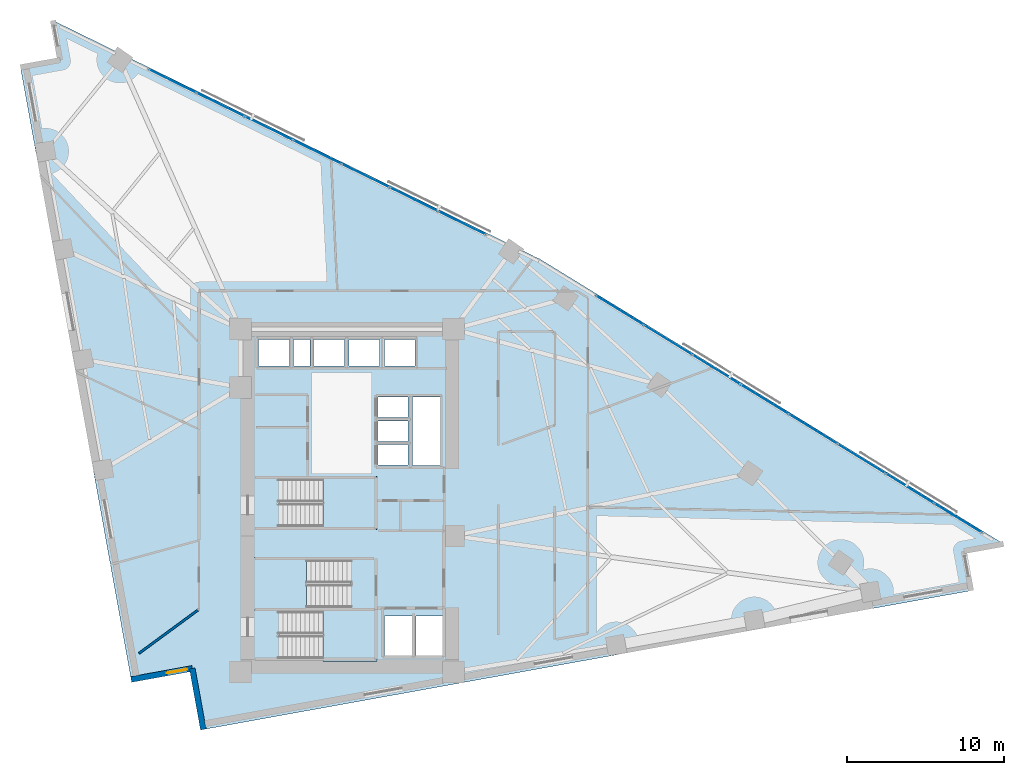
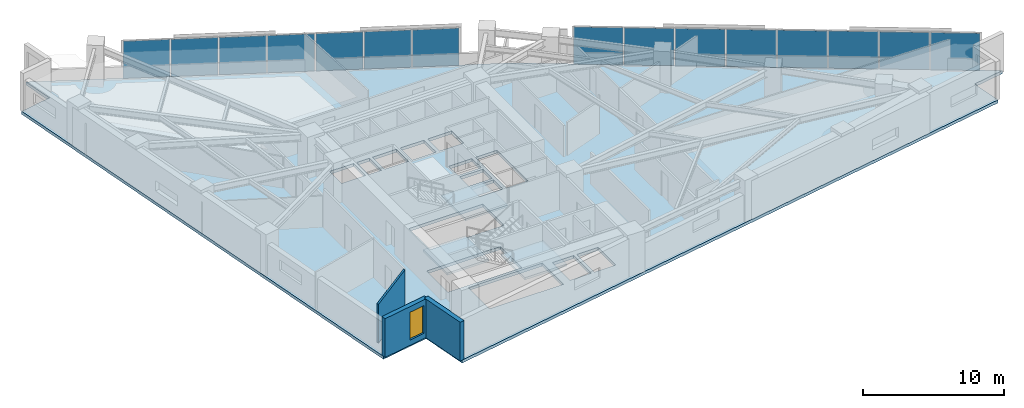
# One storey, part 12 of 18: 15 plates, 4 slabs, 3 walls, 1 window, 1 opening, 5 elements without a shape of their own.
"""IFC4 building model written with IfcOpenShell, lengths in metres."""

from ifc_helpers import new_model, si_unit, direction, frame, frame_2d, origin, origin_2d, place, context, subcontext, project, spatial, polyline, rectangle, outline, extrude, material, layer, layer_set, type_object, element, fill, aggregate, save


model = new_model("IFC4")

# Units and contexts
model_context = context("Model", 3, precision=1e-05, world=origin(), true_north=direction((0.0, 1.0)))
body_context = subcontext(model_context, "Body", "Model", "MODEL_VIEW")
ifc_project = project(units=[si_unit("LENGTHUNIT", "METRE"), si_unit("AREAUNIT", "SQUARE_METRE"), si_unit("VOLUMEUNIT", "CUBIC_METRE"), si_unit("PLANEANGLEUNIT", "RADIAN"), si_unit("MASSUNIT", "GRAM", prefix="KILO")], contexts=[model_context])

# Site, building, storey
site_placement = place(None, origin())
site = spatial("IfcSite", under=ifc_project, at=site_placement, CompositionType="ELEMENT")
building_placement = place(site_placement, origin())
building = spatial("IfcBuilding", under=site, at=building_placement, Name="Narakoshi Arena Tower", CompositionType="ELEMENT")
storey_placement = place(building_placement, frame((0.0, 0.0, 106.5)))
storey = spatial("IfcBuildingStorey", under=building, at=storey_placement, Name="L28", CompositionType="ELEMENT", Elevation=106.5)

# Curtain wall, plates
ifc_material_1 = material(Name="Anodised bronze aluminium 6063-T6", Category="aluminium")
curtain_wall_type = type_object("IfcCurtainWallType", Name="CW-HYP-LOW", PredefinedType="NOTDEFINED", material=ifc_material_1)
curtain_wall_1_placement = place(storey_placement, origin())
curtain_wall_1 = element("IfcCurtainWall", 1, at=curtain_wall_1_placement, inside=storey, type_object=curtain_wall_type, Name="L28 Folded Hypotenuse Curtain Wall 1-1", PredefinedType="NOTDEFINED")
ifc_material_2 = material(Name="Bronze-tinted low-E laminated glass", Category="glass")
ifc_layer_1 = layer(ifc_material_2, 0.031982421875)
ifc_layer_set_1 = layer_set([ifc_layer_1], Name="Bronze-tinted low-E laminated glass")
plate_type = type_object("IfcPlateType", Name="PLT-GLZ-32", PredefinedType="CURTAIN_PANEL", material=ifc_layer_set_1)
plate_1_placement = place(storey_placement, frame((117.64013671875, 44.483642578125, 0.06494140625), z_axis=(0.0, 0.0, 1.0), x_axis=(-0.852113104237, 0.523357676535, 0.0)))
plate_1 = element("IfcPlate", 2, at=plate_1_placement, type_object=plate_type, Name="CW-01 panel 1.1", PredefinedType="CURTAIN_PANEL", context=body_context, shape_type="SweptSolid", body=[
    extrude(rectangle(XDim=3.498291015625, YDim=0.031982421875, at=origin_2d()), origin(), (0.0, 0.0, 1.0), 3.2099609375),
])
plate_2_placement = place(storey_placement, frame((114.5791015625, 46.36376953125, 0.06494140625), z_axis=(0.0, 0.0, 1.0), x_axis=(-0.852113104237, 0.523357676535, 0.0)))
plate_2 = element("IfcPlate", 3, at=plate_2_placement, type_object=plate_type, Name="CW-01 panel 2.1", PredefinedType="CURTAIN_PANEL", context=body_context, shape_type="SweptSolid", body=[
    extrude(rectangle(XDim=3.535888671875, YDim=0.031982421875, at=origin_2d()), origin(), (0.0, 0.0, 1.0), 3.2099609375),
])
plate_3_placement = place(storey_placement, frame((111.502197265625, 48.25341796875, 0.06494140625), z_axis=(0.0, 0.0, 1.0), x_axis=(-0.852113104237, 0.523357676535, 0.0)))
plate_3 = element("IfcPlate", 4, at=plate_3_placement, type_object=plate_type, Name="CW-01 panel 3.1", PredefinedType="CURTAIN_PANEL", context=body_context, shape_type="SweptSolid", body=[
    extrude(rectangle(XDim=3.535888671875, YDim=0.031982421875, at=origin_2d()), origin(), (0.0, 0.0, 1.0), 3.2099609375),
])
plate_4_placement = place(storey_placement, frame((108.42529296875, 50.143310546875, 0.06494140625), z_axis=(0.0, 0.0, 1.0), x_axis=(-0.852113104237, 0.523357676535, 0.0)))
plate_4 = element("IfcPlate", 5, at=plate_4_placement, type_object=plate_type, Name="CW-01 panel 4.1", PredefinedType="CURTAIN_PANEL", context=body_context, shape_type="SweptSolid", body=[
    extrude(rectangle(XDim=3.535888671875, YDim=0.031982421875, at=origin_2d()), origin(), (0.0, 0.0, 1.0), 3.2099609375),
])
plate_5_placement = place(storey_placement, frame((105.348388671875, 52.032958984375, 0.06494140625), z_axis=(0.0, 0.0, 1.0), x_axis=(-0.852113104237, 0.523357676535, 0.0)))
plate_5 = element("IfcPlate", 6, at=plate_5_placement, type_object=plate_type, Name="CW-01 panel 5.1", PredefinedType="CURTAIN_PANEL", context=body_context, shape_type="SweptSolid", body=[
    extrude(rectangle(XDim=3.535888671875, YDim=0.031982421875, at=origin_2d()), origin(), (0.0, 0.0, 1.0), 3.2099609375),
])
plate_6_placement = place(storey_placement, frame((102.271728515625, 53.9228515625, 0.06494140625), z_axis=(0.0, 0.0, 1.0), x_axis=(-0.852113104237, 0.523357676535, 0.0)))
plate_6 = element("IfcPlate", 7, at=plate_6_placement, type_object=plate_type, Name="CW-01 panel 6.1", PredefinedType="CURTAIN_PANEL", context=body_context, shape_type="SweptSolid", body=[
    extrude(rectangle(XDim=3.535888671875, YDim=0.031982421875, at=origin_2d()), origin(), (0.0, 0.0, 1.0), 3.2099609375),
])
plate_7_placement = place(storey_placement, frame((99.19482421875, 55.8125, 0.06494140625), z_axis=(0.0, 0.0, 1.0), x_axis=(-0.852113104237, 0.523357676535, 0.0)))
plate_7 = element("IfcPlate", 8, at=plate_7_placement, type_object=plate_type, Name="CW-01 panel 7.1", PredefinedType="CURTAIN_PANEL", context=body_context, shape_type="SweptSolid", body=[
    extrude(rectangle(XDim=3.535888671875, YDim=0.031982421875, at=origin_2d()), origin(), (0.0, 0.0, 1.0), 3.2099609375),
])
plate_8_placement = place(storey_placement, frame((96.1337890625, 57.692626953125, 0.06494140625), z_axis=(0.0, 0.0, 1.0), x_axis=(-0.852113104237, 0.523357676535, 0.0)))
plate_8 = element("IfcPlate", 9, at=plate_8_placement, type_object=plate_type, Name="CW-01 panel 8.1", PredefinedType="CURTAIN_PANEL", context=body_context, shape_type="SweptSolid", body=[
    extrude(rectangle(XDim=3.498291015625, YDim=0.031982421875, at=origin_2d()), origin(), (0.0, 0.0, 1.0), 3.2099609375),
])
aggregate(curtain_wall_1, [plate_1, plate_2, plate_3, plate_4, plate_5, plate_6, plate_7, plate_8])

curtain_wall_2_placement = place(storey_placement, origin())
curtain_wall_2 = element("IfcCurtainWall", 10, at=curtain_wall_2_placement, inside=storey, type_object=curtain_wall_type, Name="L28 Folded Hypotenuse Curtain Wall 2-1", PredefinedType="NOTDEFINED")
plate_9_placement = place(storey_placement, frame((86.0791015625, 63.259765625, 0.06494140625), z_axis=(0.0, 0.0, 1.0), x_axis=(-0.89799556291, 0.440004510198, 0.0)))
plate_9 = element("IfcPlate", 11, at=plate_9_placement, type_object=plate_type, Name="CW-01 panel 1.1", PredefinedType="CURTAIN_PANEL", context=body_context, shape_type="SweptSolid", body=[
    extrude(rectangle(XDim=3.309814453125, YDim=0.031982421875, at=origin_2d()), origin(), (0.0, 0.0, 1.0), 3.2099609375),
])
plate_10_placement = place(storey_placement, frame((83.022705078125, 64.75732421875, 0.06494140625), z_axis=(0.0, 0.0, 1.0), x_axis=(-0.89799556291, 0.440004510198, 0.0)))
plate_10 = element("IfcPlate", 12, at=plate_10_placement, type_object=plate_type, Name="CW-01 panel 2.1", PredefinedType="CURTAIN_PANEL", context=body_context, shape_type="SweptSolid", body=[
    extrude(rectangle(XDim=3.347412109375, YDim=0.031982421875, at=origin_2d()), origin(), (0.0, 0.0, 1.0), 3.2099609375),
])
plate_11_placement = place(storey_placement, frame((79.949462890625, 66.26318359375, 0.06494140625), z_axis=(0.0, 0.0, 1.0), x_axis=(-0.89799556291, 0.440004510198, 0.0)))
plate_11 = element("IfcPlate", 13, at=plate_11_placement, type_object=plate_type, Name="CW-01 panel 3.1", PredefinedType="CURTAIN_PANEL", context=body_context, shape_type="SweptSolid", body=[
    extrude(rectangle(XDim=3.347412109375, YDim=0.031982421875, at=origin_2d()), origin(), (0.0, 0.0, 1.0), 3.2099609375),
])
plate_12_placement = place(storey_placement, frame((76.8759765625, 67.76904296875, 0.06494140625), z_axis=(0.0, 0.0, 1.0), x_axis=(-0.89799556291, 0.440004510198, 0.0)))
plate_12 = element("IfcPlate", 14, at=plate_12_placement, type_object=plate_type, Name="CW-01 panel 4.1", PredefinedType="CURTAIN_PANEL", context=body_context, shape_type="SweptSolid", body=[
    extrude(rectangle(XDim=3.347412109375, YDim=0.031982421875, at=origin_2d()), origin(), (0.0, 0.0, 1.0), 3.2099609375),
])
plate_13_placement = place(storey_placement, frame((73.802734375, 69.27490234375, 0.06494140625), z_axis=(0.0, 0.0, 1.0), x_axis=(-0.89799556291, 0.440004510198, 0.0)))
plate_13 = element("IfcPlate", 15, at=plate_13_placement, type_object=plate_type, Name="CW-01 panel 5.1", PredefinedType="CURTAIN_PANEL", context=body_context, shape_type="SweptSolid", body=[
    extrude(rectangle(XDim=3.347412109375, YDim=0.031982421875, at=origin_2d()), origin(), (0.0, 0.0, 1.0), 3.2099609375),
])
plate_14_placement = place(storey_placement, frame((70.7294921875, 70.781005859375, 0.06494140625), z_axis=(0.0, 0.0, 1.0), x_axis=(-0.89799556291, 0.440004510198, 0.0)))
plate_14 = element("IfcPlate", 16, at=plate_14_placement, type_object=plate_type, Name="CW-01 panel 6.1", PredefinedType="CURTAIN_PANEL", context=body_context, shape_type="SweptSolid", body=[
    extrude(rectangle(XDim=3.347412109375, YDim=0.031982421875, at=origin_2d()), origin(), (0.0, 0.0, 1.0), 3.2099609375),
])
plate_15_placement = place(storey_placement, frame((67.673095703125, 72.278564453125, 0.06494140625), z_axis=(0.0, 0.0, 1.0), x_axis=(-0.89799556291, 0.440004510198, 0.0)))
plate_15 = element("IfcPlate", 17, at=plate_15_placement, type_object=plate_type, Name="CW-01 panel 7.1", PredefinedType="CURTAIN_PANEL", context=body_context, shape_type="SweptSolid", body=[
    extrude(rectangle(XDim=3.309814453125, YDim=0.031982421875, at=origin_2d()), origin(), (0.0, 0.0, 1.0), 3.2099609375),
])
aggregate(curtain_wall_2, [plate_9, plate_10, plate_11, plate_12, plate_13, plate_14, plate_15])

# Stair, slab
ifc_material_3 = material(Name="Concrete C45/55", Category="concrete")
stair_type = type_object("IfcStairType", Name="STR-CORE-360", PredefinedType="TWO_STRAIGHT_RUN_STAIR", material=ifc_material_3)
stair_1_placement = place(storey_placement, origin())
stair_1 = element("IfcStair", 18, at=stair_1_placement, inside=storey, type_object=stair_type, Name="L28 Core Escape Stair ST1", PredefinedType="TWO_STRAIGHT_RUN_STAIR")
ifc_layer_2 = layer(ifc_material_3, 0.18994140625)
ifc_layer_set_2 = layer_set([ifc_layer_2], Name="Concrete C45/55")
slab_type_1 = type_object("IfcSlabType", Name="SLB-LND-190", PredefinedType="LANDING", material=ifc_layer_set_2)
slab_1_placement = place(storey_placement, frame((0.0, 0.0, 1.610107421875)))
slab_1 = element("IfcSlab", 19, at=slab_1_placement, type_object=slab_type_1, Name="ST1 landing 1", PredefinedType="LANDING", context=body_context, shape_type="SweptSolid", body=[
    extrude(outline(polyline([(77.25, 35.3701171875), (80.679931640625, 35.3701171875), (80.679931640625, 38.72998046875), (77.25, 38.72998046875), (77.25, 35.3701171875)])), origin(), (0.0, 0.0, 1.0), 0.18994140625),
])
aggregate(stair_1, [slab_1])

stair_2_placement = place(storey_placement, origin())
stair_2 = element("IfcStair", 20, at=stair_2_placement, inside=storey, type_object=stair_type, Name="L28 Core Escape Stair ST2", PredefinedType="TWO_STRAIGHT_RUN_STAIR")
slab_2_placement = place(storey_placement, frame((0.0, 0.0, 1.610107421875)))
slab_2 = element("IfcSlab", 21, at=slab_2_placement, type_object=slab_type_1, Name="ST2 landing 1", PredefinedType="LANDING", context=body_context, shape_type="SweptSolid", body=[
    extrude(outline(polyline([(72.77001953125, 38.6201171875), (76.199951171875, 38.6201171875), (76.199951171875, 41.97998046875), (72.77001953125, 41.97998046875), (72.77001953125, 38.6201171875)])), origin(), (0.0, 0.0, 1.0), 0.18994140625),
])
aggregate(stair_2, [slab_2])

stair_3_placement = place(storey_placement, origin())
stair_3 = element("IfcStair", 22, at=stair_3_placement, inside=storey, type_object=stair_type, Name="L28 Core Escape Stair ST3", PredefinedType="TWO_STRAIGHT_RUN_STAIR")
slab_3_placement = place(storey_placement, frame((0.0, 0.0, 1.610107421875)))
slab_3 = element("IfcSlab", 23, at=slab_3_placement, type_object=slab_type_1, Name="ST3 landing 1", PredefinedType="LANDING", context=body_context, shape_type="SweptSolid", body=[
    extrude(outline(polyline([(77.25, 43.77001953125), (80.679931640625, 43.77001953125), (80.679931640625, 47.1298828125), (77.25, 47.1298828125), (77.25, 43.77001953125)])), origin(), (0.0, 0.0, 1.0), 0.18994140625),
])
aggregate(stair_3, [slab_3])

# Slab
ifc_material_4 = material(Name="Concrete C50/60", Category="concrete")
ifc_layer_3 = layer(ifc_material_4, 0.260009765625)
ifc_layer_set_3 = layer_set([ifc_layer_3], Name="Concrete C50/60")
slab_type_2 = type_object("IfcSlabType", Name="SLB-SKY-260", PredefinedType="FLOOR", material=ifc_layer_set_3)
slab_4_placement = place(storey_placement, frame((0.0, 0.0, -0.260009765625)))
element("IfcSlab", 24, at=slab_4_placement, inside=storey, type_object=slab_type_2, Name="L28 Structural Floor Slab", PredefinedType="FLOOR", context=body_context, shape_type="SweptSolid", body=[
    extrude(outline(polyline([(69.626953125, 31.03271484375), (118.466796875, 39.8642578125), (118.01025390625, 42.3896484375), (120.535400390625, 42.84619140625), (91.034912109375, 60.965087890625), (60.066162109375, 76.139404296875), (60.522705078125, 73.614013671875), (57.99755859375, 73.157470703125), (65.039306640625, 34.215087890625), (68.92431640625, 34.91748046875), (69.626953125, 31.03271484375)]), holes=[polyline([(80.5, 35.550048828125), (74.47998046875, 35.550048828125), (74.47998046875, 38.550048828125), (80.5, 38.550048828125), (80.5, 35.550048828125)]), polyline([(82.89990234375, 35.75), (81.14990234375, 35.75), (81.14990234375, 38.25), (82.89990234375, 38.25), (82.89990234375, 35.75)]), polyline([(83.14990234375, 35.75), (83.14990234375, 38.25), (84.89990234375, 38.25), (84.89990234375, 35.75), (83.14990234375, 35.75)]), polyline([(72.949951171875, 38.800048828125), (72.949951171875, 41.800048828125), (78.969970703125, 41.800048828125), (78.969970703125, 38.800048828125), (72.949951171875, 38.800048828125)]), polyline([(74.47998046875, 43.949951171875), (74.47998046875, 46.949951171875), (80.5, 46.949951171875), (80.5, 43.949951171875), (74.47998046875, 43.949951171875)]), polyline([(82.949951171875, 47.840087890625), (82.949951171875, 52.199951171875), (84.699951171875, 52.199951171875), (84.699951171875, 47.840087890625), (82.949951171875, 47.840087890625)]), polyline([(80.75, 47.85009765625), (80.75, 49.14990234375), (82.64990234375, 49.14990234375), (82.64990234375, 47.85009765625), (80.75, 47.85009765625)]), polyline([(80.75, 49.3701171875), (80.75, 50.669921875), (82.64990234375, 50.669921875), (82.64990234375, 49.3701171875), (80.75, 49.3701171875)]), polyline([(80.75, 50.889892578125), (80.75, 52.18994140625), (82.64990234375, 52.18994140625), (82.64990234375, 50.889892578125), (80.75, 50.889892578125)]), polyline([(73.14990234375, 54.14990234375), (73.14990234375, 55.85009765625), (75.10009765625, 55.85009765625), (75.10009765625, 54.14990234375), (73.14990234375, 54.14990234375)]), polyline([(75.35009765625, 54.14990234375), (75.35009765625, 55.85009765625), (76.39990234375, 55.85009765625), (76.39990234375, 54.14990234375), (75.35009765625, 54.14990234375)]), polyline([(76.64990234375, 54.14990234375), (76.64990234375, 55.85009765625), (78.60009765625, 55.85009765625), (78.60009765625, 54.14990234375), (76.64990234375, 54.14990234375)]), polyline([(78.89990234375, 54.14990234375), (78.89990234375, 55.85009765625), (80.85009765625, 55.85009765625), (80.85009765625, 54.14990234375), (78.89990234375, 54.14990234375)]), polyline([(81.14990234375, 54.14990234375), (81.14990234375, 55.85009765625), (83.10009765625, 55.85009765625), (83.10009765625, 54.14990234375), (81.14990234375, 54.14990234375)])]), origin(), (0.0, 0.0, 1.0), 0.260009765625),
])

# Wall, opening, window
ifc_material_5 = material(Name="Precast concrete C45/55", Category="concrete")
ifc_layer_4 = layer(ifc_material_5, 0.419921875)
ifc_layer_set_4 = layer_set([ifc_layer_4], Name="Precast concrete C45/55")
wall_type_1 = type_object("IfcWallType", Name="WL-POD-420", PredefinedType="SOLIDWALL", material=ifc_layer_set_4)
wall_1_placement = place(storey_placement, frame((65.039306640625, 34.215087890625, 0.0), z_axis=(0.0, 0.0, 1.0), x_axis=(0.984046535247, 0.177911260096, 0.0)))
wall_1 = element("IfcWall", 25, at=wall_1_placement, inside=storey, type_object=wall_type_1, Name="L28 Re-Entrant Corner Notch Wall NTA-1", PredefinedType="SOLIDWALL", context=body_context, shape_type="SweptSolid", body=[
    extrude(rectangle(XDim=3.947998046875, YDim=0.360107421875, at=frame_2d((1.97412109375, 0.0))), origin(), (0.0, 0.0, 1.0), 3.340087890625),
])
opening_placement = place(wall_1_placement, frame((2.30810546875, 0.0, 0.449951171875)))
opening = element("IfcOpeningElement", 26, at=opening_placement, cuts=wall_1, Name="Opening WN-06", PredefinedType="OPENING", context=body_context, shape_type="SweptSolid", body=[
    extrude(rectangle(XDim=1.300048828125, YDim=2.39990234375, at=frame_2d((0.64990234375, 1.199951171875))), frame((0.0, 0.18994140625, 0.0), z_axis=(0.0, -1.0, 0.0), x_axis=(1.0, 0.0, 0.0)), (0.0, 0.0, 1.0), 0.380126953125),
])
window_type = type_object("IfcWindowType", Name="WIN-NTC-16x24", PartitioningType="SINGLE_PANEL", PredefinedType="WINDOW", material=ifc_material_2)
window_placement = place(opening_placement, origin())
window = element("IfcWindow", 27, at=window_placement, inside=storey, type_object=window_type, Name="L28 Corner Notch Window NTA", OverallHeight=2.39990234375, OverallWidth=1.300048828125, PartitioningType="SINGLE_PANEL", PredefinedType="WINDOW", context=body_context, shape_type="SweptSolid", body=[
    extrude(rectangle(XDim=1.300048828125, YDim=2.39990234375, at=frame_2d((0.64990234375, 1.199951171875))), frame((0.0, 0.030029296875, 0.0), z_axis=(0.0, -1.0, 0.0), x_axis=(1.0, 0.0, 0.0)), (0.0, 0.0, 1.0), 0.06005859375),
])
fill(opening, window)

# Walls
wall_2_placement = place(storey_placement, frame((68.92431640625, 34.91748046875, 0.0), z_axis=(0.0, 0.0, 1.0), x_axis=(0.177981971326, -0.984033748346, 0.0)))
element("IfcWall", 28, at=wall_2_placement, inside=storey, type_object=wall_type_1, Name="L28 Re-Entrant Corner Notch Wall NTA-2", PredefinedType="SOLIDWALL", context=body_context, shape_type="SweptSolid", body=[
    extrude(rectangle(XDim=3.94775390625, YDim=0.360107421875, at=frame_2d((1.973876953125, 0.0))), origin(), (0.0, 0.0, 1.0), 3.340087890625),
])
ifc_material_6 = material(Name="Moisture-resistant cement-board partition")
ifc_layer_5 = layer(ifc_material_6, 0.14501953125)
ifc_layer_set_5 = layer_set([ifc_layer_5], Name="Moisture-resistant cement-board partition")
wall_type_2 = type_object("IfcWallType", Name="WL-WET-145", PredefinedType="PARTITIONING", material=ifc_layer_set_5)
wall_3_placement = place(storey_placement, frame((69.293701171875, 38.63525390625, 0.0), z_axis=(0.0, 0.0, 1.0), x_axis=(-0.806085538754, -0.591799040394, 0.0)))
element("IfcWall", 29, at=wall_3_placement, inside=storey, type_object=wall_type_2, Name="L28 Room Enclosure Partition 01-1", PredefinedType="PARTITIONING", context=body_context, shape_type="SweptSolid", body=[
    extrude(rectangle(XDim=4.666748046875, YDim=0.14501953125, at=frame_2d((2.33349609375, 0.0))), origin(), (0.0, 0.0, 1.0), 3.340087890625),
])

save(model, "model.ifc")
